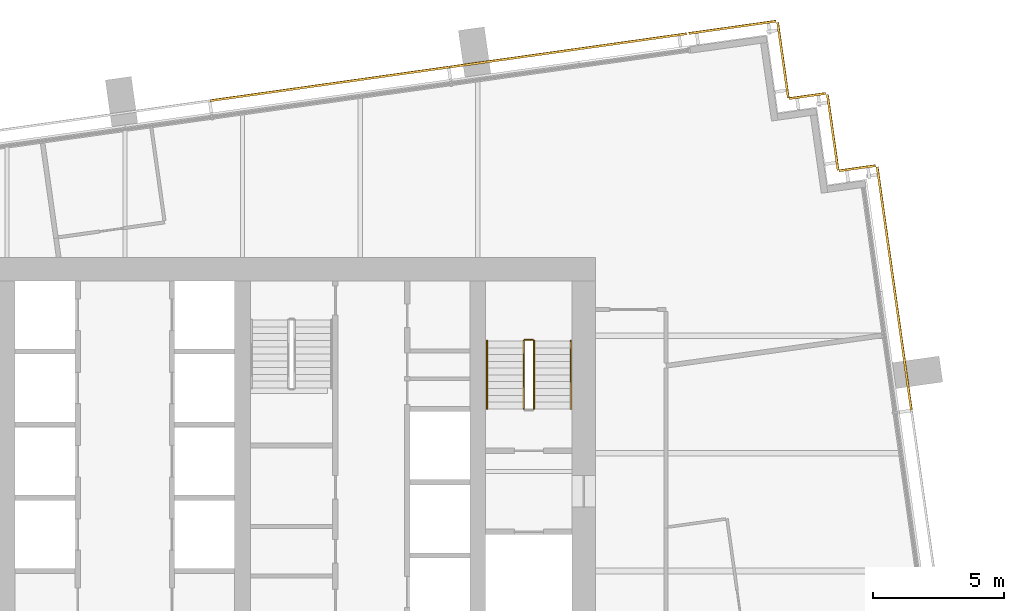
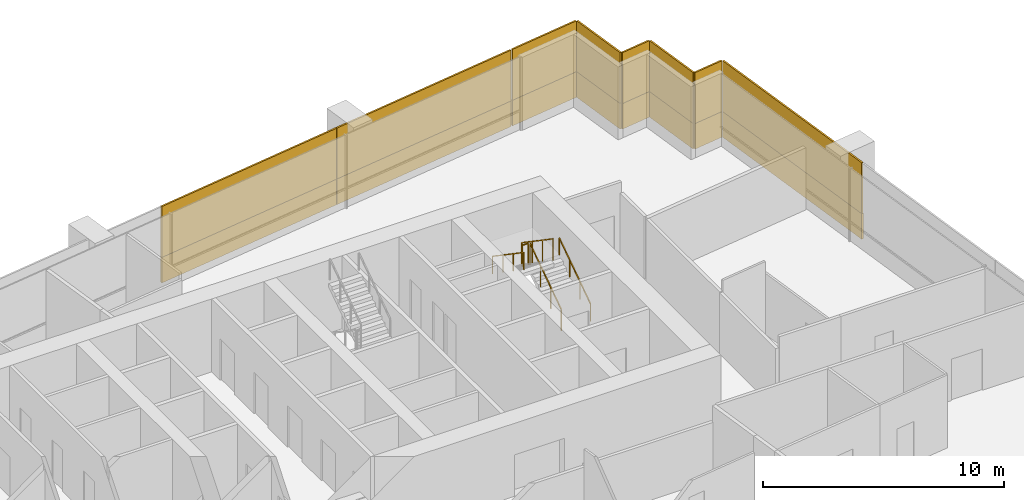
# One storey, part 18 of 18: 16 coverings, 5 railings.
"""IFC4 building model written with IfcOpenShell, lengths in metres."""

from ifc_helpers import new_model, si_unit, direction, frame, origin, origin_2d, place, context, subcontext, project, spatial, rectangle, extrude, material, layer, layer_set, type_object, element, save


model = new_model("IFC4")

# Units and contexts
model_context = context("Model", 3, precision=1e-05, world=origin(), true_north=direction((0.0, 1.0)))
body_context = subcontext(model_context, "Body", "Model", "MODEL_VIEW")
ifc_project = project(units=[si_unit("LENGTHUNIT", "METRE"), si_unit("AREAUNIT", "SQUARE_METRE"), si_unit("VOLUMEUNIT", "CUBIC_METRE"), si_unit("PLANEANGLEUNIT", "RADIAN"), si_unit("MASSUNIT", "GRAM", prefix="KILO")], contexts=[model_context])

# Site, building, storey
site_placement = place(None, origin())
site = spatial("IfcSite", under=ifc_project, at=site_placement, CompositionType="ELEMENT")
building_placement = place(site_placement, origin())
building = spatial("IfcBuilding", under=site, at=building_placement, Name="Rattan Terrace Tower", CompositionType="ELEMENT")
storey_placement = place(building_placement, frame((0.0, 0.0, 233.0)))
storey = spatial("IfcBuildingStorey", under=building, at=storey_placement, Name="L53", CompositionType="ELEMENT", Elevation=233.0)

# Railings
ifc_material_1 = material(Name="Powder-coated steel guard", Category="steel")
railing_type_1 = type_object("IfcRailingType", Name="Core stair guard", PredefinedType="GUARDRAIL", material=ifc_material_1)
railing_1_placement = place(storey_placement, frame((15.64990234375, 1.699951171875, 0.17724609375)))
element("IfcRailing", 1, at=railing_1_placement, inside=storey, type_object=railing_type_1, Name="L53 S2 stair guard 1", PredefinedType="GUARDRAIL", context=body_context, shape_type="SweptSolid", body=[
    extrude(rectangle(XDim=0.048095703125, YDim=0.048095703125, at=origin_2d()), frame((0.0, 0.0, 1.076171875), z_axis=(0.0, 0.826240473404, 0.563317565952), x_axis=(-1.0, 0.0, 0.0)), (0.0, 0.0, 1.0), 3.14697265625),
    extrude(rectangle(XDim=0.0419921875, YDim=0.0419921875, at=origin_2d()), origin(), (0.0, 0.0, 1.0), 1.052001953125),
    extrude(rectangle(XDim=0.0419921875, YDim=0.0419921875, at=origin_2d()), frame((0.0, 0.86669921875, 0.5908203125)), (0.0, 0.0, 1.0), 1.052001953125),
    extrude(rectangle(XDim=0.0419921875, YDim=0.0419921875, at=origin_2d()), frame((0.0, 1.7333984375, 1.181884765625)), (0.0, 0.0, 1.0), 1.052001953125),
    extrude(rectangle(XDim=0.0419921875, YDim=0.0419921875, at=origin_2d()), frame((0.0, 2.60009765625, 1.772705078125)), (0.0, 0.0, 1.0), 1.052001953125),
])
railing_2_placement = place(storey_placement, frame((15.60009765625, 4.35009765625, 1.949951171875)))
element("IfcRailing", 2, at=railing_2_placement, inside=storey, type_object=railing_type_1, Name="L53 S2 stair guard 2", PredefinedType="GUARDRAIL", context=body_context, shape_type="SweptSolid", body=[
    extrude(rectangle(XDim=0.048095703125, YDim=0.048095703125, at=origin_2d()), frame((0.0, 0.0, 1.076171875), z_axis=(-1.0, 0.0, 0.0), x_axis=(0.0, -1.0, 0.0)), (0.0, 0.0, 1.0), 0.300048828125),
    extrude(rectangle(XDim=0.0419921875, YDim=0.0419921875, at=origin_2d()), origin(), (0.0, 0.0, 1.0), 1.052001953125),
    extrude(rectangle(XDim=0.0419921875, YDim=0.0419921875, at=origin_2d()), frame((-0.300048828125, 0.0, 0.0)), (0.0, 0.0, 1.0), 1.052001953125),
])
railing_3_placement = place(storey_placement, frame((15.25, 4.300048828125, 2.127197265625)))
element("IfcRailing", 3, at=railing_3_placement, inside=storey, type_object=railing_type_1, Name="L53 S2 stair guard 3", PredefinedType="GUARDRAIL", context=body_context, shape_type="SweptSolid", body=[
    extrude(rectangle(XDim=0.048095703125, YDim=0.048095703125, at=origin_2d()), frame((0.0, 0.0, 1.076171875), z_axis=(0.0, -0.826240473404, 0.563317565952), x_axis=(1.0, 0.0, 0.0)), (0.0, 0.0, 1.0), 3.14697265625),
    extrude(rectangle(XDim=0.0419921875, YDim=0.0419921875, at=origin_2d()), origin(), (0.0, 0.0, 1.0), 1.052001953125),
    extrude(rectangle(XDim=0.0419921875, YDim=0.0419921875, at=origin_2d()), frame((0.0, -0.86669921875, 0.5908203125)), (0.0, 0.0, 1.0), 1.052001953125),
    extrude(rectangle(XDim=0.0419921875, YDim=0.0419921875, at=origin_2d()), frame((0.0, -1.7333984375, 1.181884765625)), (0.0, 0.0, 1.0), 1.052001953125),
    extrude(rectangle(XDim=0.0419921875, YDim=0.0419921875, at=origin_2d()), frame((0.0, -2.60009765625, 1.772705078125)), (0.0, 0.0, 1.0), 1.052001953125),
])
ifc_material_2 = material(Name="Powder-coated steel handrail", Category="steel")
railing_type_2 = type_object("IfcRailingType", Name="Core stair handrail", PredefinedType="HANDRAIL", material=ifc_material_2)
railing_4_placement = place(storey_placement, frame((17.050048828125, 1.699951171875, 0.17724609375)))
element("IfcRailing", 4, at=railing_4_placement, inside=storey, type_object=railing_type_2, Name="L53 S2 stair handrail 1", PredefinedType="HANDRAIL", context=body_context, shape_type="SweptSolid", body=[
    extrude(rectangle(XDim=0.048095703125, YDim=0.048095703125, at=origin_2d()), frame((0.0, 0.0, 0.8759765625), z_axis=(0.0, 0.826240473404, 0.563317565952), x_axis=(-1.0, 0.0, 0.0)), (0.0, 0.0, 1.0), 3.14697265625),
    extrude(rectangle(XDim=0.0419921875, YDim=0.0419921875, at=origin_2d()), origin(), (0.0, 0.0, 1.0), 0.851806640625),
    extrude(rectangle(XDim=0.0419921875, YDim=0.0419921875, at=origin_2d()), frame((0.0, 0.86669921875, 0.5908203125)), (0.0, 0.0, 1.0), 0.851806640625),
    extrude(rectangle(XDim=0.0419921875, YDim=0.0419921875, at=origin_2d()), frame((0.0, 1.7333984375, 1.181884765625)), (0.0, 0.0, 1.0), 0.851806640625),
    extrude(rectangle(XDim=0.0419921875, YDim=0.0419921875, at=origin_2d()), frame((0.0, 2.60009765625, 1.772705078125)), (0.0, 0.0, 1.0), 0.851806640625),
])
railing_5_placement = place(storey_placement, frame((13.85009765625, 4.300048828125, 2.127197265625)))
element("IfcRailing", 5, at=railing_5_placement, inside=storey, type_object=railing_type_2, Name="L53 S2 stair handrail 2", PredefinedType="HANDRAIL", context=body_context, shape_type="SweptSolid", body=[
    extrude(rectangle(XDim=0.048095703125, YDim=0.048095703125, at=origin_2d()), frame((0.0, 0.0, 0.8759765625), z_axis=(0.0, -0.826240473404, 0.563317565952), x_axis=(1.0, 0.0, 0.0)), (0.0, 0.0, 1.0), 3.14697265625),
    extrude(rectangle(XDim=0.0419921875, YDim=0.0419921875, at=origin_2d()), origin(), (0.0, 0.0, 1.0), 0.851806640625),
    extrude(rectangle(XDim=0.0419921875, YDim=0.0419921875, at=origin_2d()), frame((0.0, -0.86669921875, 0.5908203125)), (0.0, 0.0, 1.0), 0.851806640625),
    extrude(rectangle(XDim=0.0419921875, YDim=0.0419921875, at=origin_2d()), frame((0.0, -1.7333984375, 1.181884765625)), (0.0, 0.0, 1.0), 0.851806640625),
    extrude(rectangle(XDim=0.0419921875, YDim=0.0419921875, at=origin_2d()), frame((0.0, -2.60009765625, 1.772705078125)), (0.0, 0.0, 1.0), 0.851806640625),
])

# Coverings
ifc_material_3 = material(Name="Solid terracotta", Category="masonry")
ifc_layer_1 = layer(ifc_material_3, 0.090087890625)
ifc_layer_set_1 = layer_set([ifc_layer_1], Name="Facade Terracotta Band Panel HZ")
covering_type_1 = type_object("IfcCoveringType", Name="Facade Terracotta Band Panel HZ", PredefinedType="CLADDING", material=ifc_layer_set_1)
covering_1_placement = place(storey_placement, frame((29.425537109375, 6.3037109375, -0.18994140625), z_axis=(0.0, 0.0, 1.0), x_axis=(-0.139186165309, 0.990266232579, 0.0)))
element("IfcCovering", 6, at=covering_1_placement, inside=storey, type_object=covering_type_1, Name="OUTER SKIN panel L53-8A", PredefinedType="CLADDING", context=body_context, shape_type="SweptSolid", body=[
    extrude(rectangle(XDim=9.39990234375, YDim=0.090087890625, at=origin_2d()), origin(), (0.0, 0.0, 1.0), 1.300048828125),
])
covering_2_placement = place(storey_placement, frame((28.00634765625, 10.90576171875, -0.18994140625), z_axis=(0.0, 0.0, 1.0), x_axis=(-0.990240767803, -0.139367219175, 0.0)))
element("IfcCovering", 7, at=covering_2_placement, inside=storey, type_object=covering_type_1, Name="OUTER SKIN panel L53-9A", PredefinedType="CLADDING", context=body_context, shape_type="SweptSolid", body=[
    extrude(rectangle(XDim=1.419677734375, YDim=0.090087890625, at=origin_2d()), origin(), (0.0, 0.0, 1.0), 1.300048828125),
])
covering_3_placement = place(storey_placement, frame((27.07177734375, 12.27392578125, -0.18994140625), z_axis=(0.0, 0.0, 1.0), x_axis=(-0.139321220646, 0.990247240581, 0.0)))
element("IfcCovering", 8, at=covering_3_placement, inside=storey, type_object=covering_type_1, Name="OUTER SKIN panel L53-10A", PredefinedType="CLADDING", context=body_context, shape_type="SweptSolid", body=[
    extrude(rectangle(XDim=2.920166015625, YDim=0.090087890625, at=origin_2d()), origin(), (0.0, 0.0, 1.0), 1.300048828125),
])
covering_4_placement = place(storey_placement, frame((26.103271484375, 13.667724609375, -0.18994140625), z_axis=(0.0, 0.0, 1.0), x_axis=(-0.990240767803, -0.139367219175, 0.0)))
element("IfcCovering", 9, at=covering_4_placement, inside=storey, type_object=covering_type_1, Name="OUTER SKIN panel L53-11A", PredefinedType="CLADDING", context=body_context, shape_type="SweptSolid", body=[
    extrude(rectangle(XDim=1.419677734375, YDim=0.090087890625, at=origin_2d()), origin(), (0.0, 0.0, 1.0), 1.300048828125),
])
covering_5_placement = place(storey_placement, frame((25.168701171875, 15.035888671875, -0.18994140625), z_axis=(0.0, 0.0, 1.0), x_axis=(-0.139321220646, 0.990247240581, 0.0)))
element("IfcCovering", 10, at=covering_5_placement, inside=storey, type_object=covering_type_1, Name="OUTER SKIN panel L53-12A", PredefinedType="CLADDING", context=body_context, shape_type="SweptSolid", body=[
    extrude(rectangle(XDim=2.920166015625, YDim=0.090087890625, at=origin_2d()), origin(), (0.0, 0.0, 1.0), 1.300048828125),
])
covering_6_placement = place(storey_placement, frame((23.234619140625, 16.294189453125, -0.18994140625), z_axis=(0.0, 0.0, 1.0), x_axis=(-0.990293172258, -0.138994363123, 0.0)))
element("IfcCovering", 11, at=covering_6_placement, inside=storey, type_object=covering_type_1, Name="OUTER SKIN panel L53-13A", PredefinedType="CLADDING", context=body_context, shape_type="SweptSolid", body=[
    extrude(rectangle(XDim=3.3701171875, YDim=0.090087890625, at=origin_2d()), origin(), (0.0, 0.0, 1.0), 1.300048828125),
])
covering_7_placement = place(storey_placement, frame((16.94091796875, 15.409912109375, -0.18994140625), z_axis=(0.0, 0.0, 1.0), x_axis=(-0.990267457022, -0.139177453499, 0.0)))
element("IfcCovering", 12, at=covering_7_placement, inside=storey, type_object=covering_type_1, Name="OUTER SKIN panel L53-14A", PredefinedType="CLADDING", context=body_context, shape_type="SweptSolid", body=[
    extrude(rectangle(XDim=9.18115234375, YDim=0.090087890625, at=origin_2d()), origin(), (0.0, 0.0, 1.0), 1.300048828125),
])
covering_8_placement = place(storey_placement, frame((7.814453125, 14.12744140625, -0.18994140625), z_axis=(0.0, 0.0, 1.0), x_axis=(-0.990267457022, -0.139177453499, 0.0)))
element("IfcCovering", 13, at=covering_8_placement, inside=storey, type_object=covering_type_1, Name="OUTER SKIN panel L53-15A", PredefinedType="CLADDING", context=body_context, shape_type="SweptSolid", body=[
    extrude(rectangle(XDim=9.2109375, YDim=0.090087890625, at=origin_2d()), origin(), (0.0, 0.0, 1.0), 1.300048828125),
])
ifc_material_4 = material(Name="Perforated terracotta", Category="masonry")
ifc_layer_2 = layer(ifc_material_4, 0.080078125)
ifc_layer_set_2 = layer_set([ifc_layer_2], Name="Facade Terracotta Screen Panel HZ")
covering_type_2 = type_object("IfcCoveringType", Name="Facade Terracotta Screen Panel HZ", PredefinedType="CLADDING", material=ifc_layer_set_2)
covering_9_placement = place(storey_placement, frame((29.420654296875, 6.302978515625, 1.10986328125), z_axis=(0.0, 0.0, 1.0), x_axis=(-0.139186165309, 0.990266232579, 0.0)))
element("IfcCovering", 14, at=covering_9_placement, inside=storey, type_object=covering_type_2, Name="OUTER SKIN panel L53-8B", PredefinedType="CLADDING", context=body_context, shape_type="SweptSolid", body=[
    extrude(rectangle(XDim=9.39990234375, YDim=0.080078125, at=origin_2d()), origin(), (0.0, 0.0, 1.0), 2.580078125),
])
covering_10_placement = place(storey_placement, frame((28.007080078125, 10.900634765625, 1.10986328125), z_axis=(0.0, 0.0, 1.0), x_axis=(-0.990240767803, -0.139367219175, 0.0)))
element("IfcCovering", 15, at=covering_10_placement, inside=storey, type_object=covering_type_2, Name="OUTER SKIN panel L53-9B", PredefinedType="CLADDING", context=body_context, shape_type="SweptSolid", body=[
    extrude(rectangle(XDim=1.419677734375, YDim=0.080078125, at=origin_2d()), origin(), (0.0, 0.0, 1.0), 2.580078125),
])
covering_11_placement = place(storey_placement, frame((27.06689453125, 12.273193359375, 1.10986328125), z_axis=(0.0, 0.0, 1.0), x_axis=(-0.139321220646, 0.990247240581, 0.0)))
element("IfcCovering", 16, at=covering_11_placement, inside=storey, type_object=covering_type_2, Name="OUTER SKIN panel L53-10B", PredefinedType="CLADDING", context=body_context, shape_type="SweptSolid", body=[
    extrude(rectangle(XDim=2.920166015625, YDim=0.080078125, at=origin_2d()), origin(), (0.0, 0.0, 1.0), 2.580078125),
])
covering_12_placement = place(storey_placement, frame((26.10400390625, 13.662841796875, 1.10986328125), z_axis=(0.0, 0.0, 1.0), x_axis=(-0.990240767803, -0.139367219175, 0.0)))
element("IfcCovering", 17, at=covering_12_placement, inside=storey, type_object=covering_type_2, Name="OUTER SKIN panel L53-11B", PredefinedType="CLADDING", context=body_context, shape_type="SweptSolid", body=[
    extrude(rectangle(XDim=1.419677734375, YDim=0.080078125, at=origin_2d()), origin(), (0.0, 0.0, 1.0), 2.580078125),
])
covering_13_placement = place(storey_placement, frame((25.163818359375, 15.03515625, 1.10986328125), z_axis=(0.0, 0.0, 1.0), x_axis=(-0.139321220646, 0.990247240581, 0.0)))
element("IfcCovering", 18, at=covering_13_placement, inside=storey, type_object=covering_type_2, Name="OUTER SKIN panel L53-12B", PredefinedType="CLADDING", context=body_context, shape_type="SweptSolid", body=[
    extrude(rectangle(XDim=2.920166015625, YDim=0.080078125, at=origin_2d()), origin(), (0.0, 0.0, 1.0), 2.580078125),
])
covering_14_placement = place(storey_placement, frame((23.2353515625, 16.289306640625, 1.10986328125), z_axis=(0.0, 0.0, 1.0), x_axis=(-0.990293172258, -0.138994363123, 0.0)))
element("IfcCovering", 19, at=covering_14_placement, inside=storey, type_object=covering_type_2, Name="OUTER SKIN panel L53-13B", PredefinedType="CLADDING", context=body_context, shape_type="SweptSolid", body=[
    extrude(rectangle(XDim=3.3701171875, YDim=0.080078125, at=origin_2d()), origin(), (0.0, 0.0, 1.0), 2.580078125),
])
covering_15_placement = place(storey_placement, frame((16.941650390625, 15.405029296875, 1.10986328125), z_axis=(0.0, 0.0, 1.0), x_axis=(-0.990267457022, -0.139177453499, 0.0)))
element("IfcCovering", 20, at=covering_15_placement, inside=storey, type_object=covering_type_2, Name="OUTER SKIN panel L53-14B", PredefinedType="CLADDING", context=body_context, shape_type="SweptSolid", body=[
    extrude(rectangle(XDim=9.18115234375, YDim=0.080078125, at=origin_2d()), origin(), (0.0, 0.0, 1.0), 2.580078125),
])
covering_16_placement = place(storey_placement, frame((7.815185546875, 14.122314453125, 1.10986328125), z_axis=(0.0, 0.0, 1.0), x_axis=(-0.990267457022, -0.139177453499, 0.0)))
element("IfcCovering", 21, at=covering_16_placement, inside=storey, type_object=covering_type_2, Name="OUTER SKIN panel L53-15B", PredefinedType="CLADDING", context=body_context, shape_type="SweptSolid", body=[
    extrude(rectangle(XDim=9.2109375, YDim=0.080078125, at=origin_2d()), origin(), (0.0, 0.0, 1.0), 2.580078125),
])

save(model, "model.ifc")
